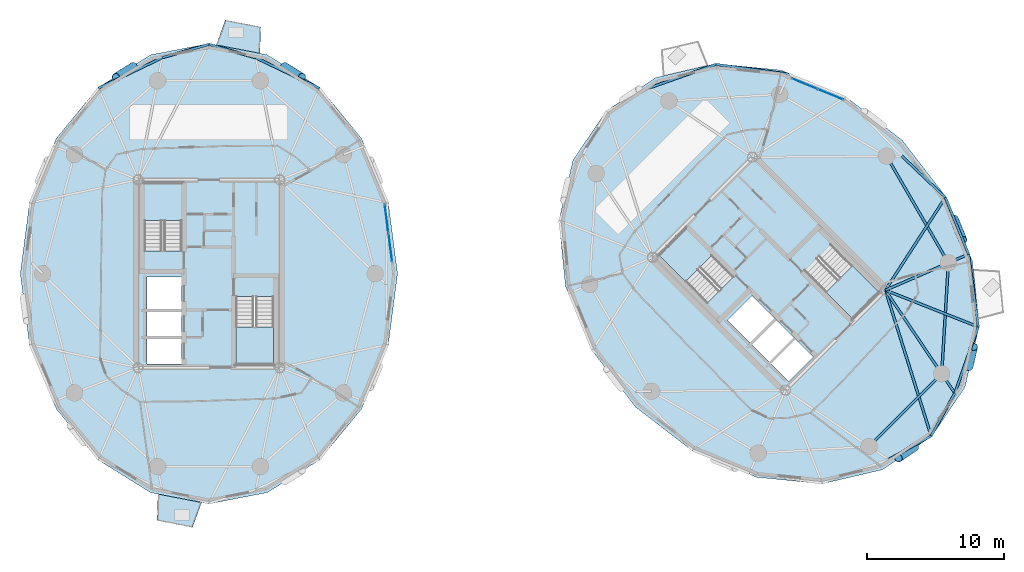
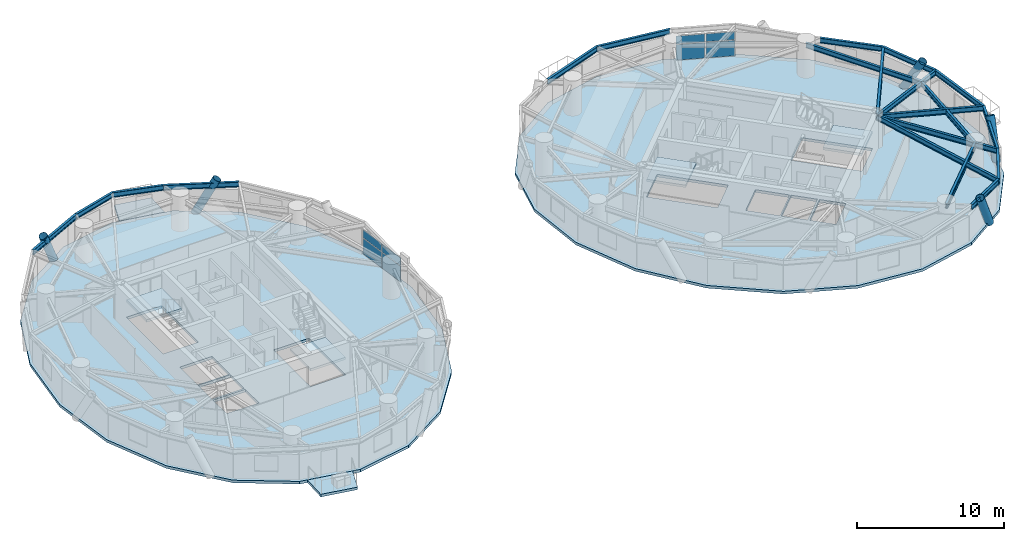
# One storey, part 6 of 15: 20 beams, 8 plates, 8 slabs, 5 members, 6 elements without a shape of their own.
"""IFC4 building model written with IfcOpenShell, lengths in metres."""

import ifcopenshell
import ifcopenshell.guid

model = None  # the IFC model being written
_history = None  # IfcOwnerHistory: only IFC2X3 demands one
_inside = {}  # id of a spatial element -> (the spatial element, [elements in it])
_under = {}  # id of a project, library or spatial element -> (it, [spatial elements below it])
_declared = {}  # id of a project -> (the project, [libraries it declares])
_typed = {}  # id of a type object -> (the type object, [elements of that type])
_made_of = {}  # id of a material, layer set ... -> (it, [elements and type objects made of it])


def new_model(schema):
    """Start an empty IFC model of exactly this schema.

    Asked for "IFC4X3", IfcOpenShell would pick the latest addendum, in which some entities
    have other attributes; the version numbers below select the first issue.
    IFC2X3 requires an IfcOwnerHistory on every rooted entity: one is made here for all.
    """
    global model, _history
    if schema == "IFC4X3":
        model = ifcopenshell.file(schema_version=(4, 3, 0, 0))
    else:
        model = ifcopenshell.file(schema=schema)
    _inside.clear()
    _under.clear()
    _declared.clear()
    _typed.clear()
    _made_of.clear()
    _history = None
    if model.schema == "IFC2X3":
        org = make("IfcOrganization", Name="unknown")
        user = make(
            "IfcPersonAndOrganization",
            ThePerson=make("IfcPerson", FamilyName="unknown"),
            TheOrganization=org,
        )
        app = make(
            "IfcApplication",
            ApplicationDeveloper=org,
            Version="unknown",
            ApplicationFullName="unknown",
            ApplicationIdentifier="unknown",
        )
        _history = make(
            "IfcOwnerHistory",
            OwningUser=user,
            OwningApplication=app,
            ChangeAction="ADDED",
            CreationDate=0,
        )
    return model


def make(cls, **values):
    """One entity of the class cls with the attributes given. An attribute that is None is left unset."""
    return model.create_entity(
        cls, **{name: value for name, value in values.items() if value is not None}
    )


def rooted(cls, **values):
    """An entity with a GlobalId (a new one), such as an element, a storey or a relation."""
    return make(cls, GlobalId=ifcopenshell.guid.new(), OwnerHistory=_history, **values)


def si_unit(unit_type, name, prefix=None):
    """IfcSIUnit, for example si_unit("LENGTHUNIT", "METRE", prefix="MILLI")."""
    return make("IfcSIUnit", UnitType=unit_type, Prefix=prefix, Name=name)


def assignment(units):
    """IfcUnitAssignment: the units of a project."""
    return None if units is None else make("IfcUnitAssignment", Units=units)


def point(xyz):
    """IfcCartesianPoint."""
    return None if xyz is None else make("IfcCartesianPoint", Coordinates=xyz)


def direction(xyz):
    """IfcDirection."""
    return None if xyz is None else make("IfcDirection", DirectionRatios=xyz)


def frame(location, z_axis=None, x_axis=None):
    """IfcAxis2Placement3D, a coordinate frame: its origin and axes. An axis left out is left unset."""
    return make(
        "IfcAxis2Placement3D",
        Location=point(location),
        Axis=direction(z_axis),
        RefDirection=direction(x_axis),
    )


def frame_2d(location, x_axis=None):
    """IfcAxis2Placement2D, a coordinate frame in the plane: its origin and x axis."""
    return make(
        "IfcAxis2Placement2D", Location=point(location), RefDirection=direction(x_axis)
    )


def origin():
    """The frame at (0, 0, 0) with its axes left unset."""
    return frame((0.0, 0.0, 0.0))


def origin_2d():
    """The frame at (0, 0) in the plane with its x axis left unset."""
    return frame_2d((0.0, 0.0))


def place(relative_to, where):
    """IfcLocalPlacement: puts the frame where relative to a parent placement (None: the world)."""
    return make(
        "IfcLocalPlacement", PlacementRelTo=relative_to, RelativePlacement=where
    )


def context(
    kind, dimensions, precision=None, world=None, true_north=None, identifier=None
):
    """IfcGeometricRepresentationContext, for example the 3D "Model" context."""
    return make(
        "IfcGeometricRepresentationContext",
        ContextIdentifier=identifier,
        ContextType=kind,
        CoordinateSpaceDimension=dimensions,
        Precision=precision,
        WorldCoordinateSystem=world,
        TrueNorth=true_north,
    )


def subcontext(parent, identifier, kind, view, scale=None):
    """IfcGeometricRepresentationSubContext, for example "Body" below "Model"."""
    return make(
        "IfcGeometricRepresentationSubContext",
        ContextIdentifier=identifier,
        ContextType=kind,
        ParentContext=parent,
        TargetScale=scale,
        TargetView=view,
    )


def project(units=None, contexts=None):
    """IfcProject with its units and contexts."""
    return rooted(
        "IfcProject",
        Name="project",
        RepresentationContexts=contexts,
        UnitsInContext=assignment(units),
    )


def spatial(cls, under=None, at=None, **own):
    """A site, building, storey or space (cls), placed at a placement, below another one or the project."""
    s = rooted(cls, ObjectPlacement=at, **own)
    if under is not None:
        _under.setdefault(under.id(), (under, []))[1].append(s)
    return s


def polyline(points):
    """IfcPolyline through the points."""
    return make("IfcPolyline", Points=[point(p) for p in points])


def profile(cls, at=None, kind="AREA", **sizes):
    """A parametric profile (cls). Its sizes go by their IFC names, for example OverallWidth=200.0."""
    return make(cls, ProfileType=kind, Position=at, **sizes)


def rectangle(**sizes):
    """IfcRectangleProfileDef."""
    return profile("IfcRectangleProfileDef", **sizes)


def hollow_circle(**sizes):
    """IfcCircleHollowProfileDef."""
    return profile("IfcCircleHollowProfileDef", **sizes)


def i_section(**sizes):
    """IfcIShapeProfileDef."""
    return profile("IfcIShapeProfileDef", **sizes)


def outline(outer, holes=None, kind="AREA"):
    """IfcArbitraryClosedProfileDef: a profile drawn as a closed curve; with holes, ...WithVoids."""
    if holes is None:
        return make("IfcArbitraryClosedProfileDef", ProfileType=kind, OuterCurve=outer)
    return make(
        "IfcArbitraryProfileDefWithVoids",
        ProfileType=kind,
        OuterCurve=outer,
        InnerCurves=holes,
    )


def extrude(swept, where, along, depth):
    """IfcExtrudedAreaSolid: the profile swept, set in the frame where, extruded along a direction by depth."""
    return make(
        "IfcExtrudedAreaSolid",
        SweptArea=swept,
        Position=where,
        ExtrudedDirection=direction(along),
        Depth=depth,
    )


def shape(context_of_items, identifier, shape_type, items):
    """IfcShapeRepresentation: the items that make up one representation, for example the "Body"."""
    return make(
        "IfcShapeRepresentation",
        ContextOfItems=context_of_items,
        RepresentationIdentifier=identifier,
        RepresentationType=shape_type,
        Items=items,
    )


def source(mapping_origin, context_of_items, identifier, shape_type, items):
    """IfcRepresentationMap: a shape defined once, which mapped items show again and again."""
    return make(
        "IfcRepresentationMap",
        MappingOrigin=mapping_origin,
        MappedRepresentation=shape(context_of_items, identifier, shape_type, items),
    )


def transform(
    local_origin,
    x_axis=None,
    y_axis=None,
    z_axis=None,
    scale=None,
    scale2=None,
    scale3=None,
    uniform=True,
):
    """IfcCartesianTransformationOperator3D, or its non-uniform kind. x_axis, y_axis, z_axis: its Axis1, 2, 3."""
    if uniform:
        return make(
            "IfcCartesianTransformationOperator3D",
            Axis1=direction(x_axis),
            Axis2=direction(y_axis),
            LocalOrigin=point(local_origin),
            Scale=scale,
            Axis3=direction(z_axis),
        )
    return make(
        "IfcCartesianTransformationOperator3DnonUniform",
        Axis1=direction(x_axis),
        Axis2=direction(y_axis),
        LocalOrigin=point(local_origin),
        Scale=scale,
        Axis3=direction(z_axis),
        Scale2=scale2,
        Scale3=scale3,
    )


def mapped(mapping_source, mapping_target):
    """IfcMappedItem: shows the shape of a source again, moved by a transform."""
    return make(
        "IfcMappedItem", MappingSource=mapping_source, MappingTarget=mapping_target
    )


def material(Name=None, Category=None):
    """IfcMaterial."""
    return make("IfcMaterial", Name=Name, Category=Category)


def layer(
    of_material, thickness, ventilated=None, Name=None, Category=None, Priority=None
):
    """IfcMaterialLayer: one layer of a wall or slab, of a material (None: an air gap)."""
    return make(
        "IfcMaterialLayer",
        Material=of_material,
        LayerThickness=thickness,
        IsVentilated=ventilated,
        Name=Name,
        Category=Category,
        Priority=Priority,
    )


def layer_set(layers, Name=None):
    """IfcMaterialLayerSet."""
    return make("IfcMaterialLayerSet", MaterialLayers=layers, LayerSetName=Name)


def material_profile(
    of_material, cross_section, Name=None, Category=None, Priority=None
):
    """IfcMaterialProfile: a cross section and its material."""
    return make(
        "IfcMaterialProfile",
        Name=Name,
        Material=of_material,
        Profile=cross_section,
        Priority=Priority,
        Category=Category,
    )


def profile_set(profiles, Name=None, composite=None):
    """IfcMaterialProfileSet."""
    return make(
        "IfcMaterialProfileSet",
        Name=Name,
        MaterialProfiles=profiles,
        CompositeProfile=composite,
    )


def made_of(thing, what):
    """Note that an element or type object is made of a material, layer set ...; save() writes the relation."""
    if what is not None:
        _made_of.setdefault(what.id(), (what, []))[1].append(thing)
    return thing


def type_object(cls, material=None, **own):
    """A type object (cls), such as IfcWallType, which elements share."""
    return made_of(rooted(cls, **own), material)


def element(
    cls,
    number,
    at=None,
    inside=None,
    cuts=None,
    type_object=None,
    material=None,
    context=None,
    identifier="Body",
    shape_type=None,
    held_by="IfcProductDefinitionShape",
    body=None,
    shapes=None,
    **own,
):
    """One element of the class cls, such as IfcWall. Its Tag is "e" and its number.

    at: its placement. inside: the storey or other place that contains it. cuts: it is an
    opening in that element (IfcRelVoidsElement). A single representation is given by context,
    identifier, shape_type and body (its items); several are given by shapes. held_by: the class
    of the entity that holds the representations. save() writes the other relations.
    """
    e = rooted(cls, Tag="e%d" % number, ObjectPlacement=at, **own)
    if body is not None:
        shapes = [shape(context, identifier, shape_type, body)]
    if shapes is not None:
        e.Representation = make(held_by, Representations=shapes)
    if inside is not None:
        _inside.setdefault(inside.id(), (inside, []))[1].append(e)
    if cuts is not None:
        rooted(
            "IfcRelVoidsElement", RelatingBuildingElement=cuts, RelatedOpeningElement=e
        )
    if type_object is not None:
        _typed.setdefault(type_object.id(), (type_object, []))[1].append(e)
    return made_of(e, material)


def aggregate(whole, parts):
    """IfcRelAggregates: a whole, such as a stair, and the parts it consists of."""
    return rooted("IfcRelAggregates", RelatingObject=whole, RelatedObjects=parts)


def save(model, path):
    """Write the relations noted so far, then the file.

    IfcRelAggregates (storeys below a building ...), IfcRelContainedInSpatialStructure (elements
    in a storey), IfcRelDefinesByType, IfcRelAssociatesMaterial and IfcRelDeclares: one each for
    every whole, place, type object, material and project.
    """
    for whole, parts in _under.values():
        aggregate(whole, parts)
    for where, things in _inside.values():
        rooted(
            "IfcRelContainedInSpatialStructure",
            RelatedElements=things,
            RelatingStructure=where,
        )
    for kind, things in _typed.values():
        rooted("IfcRelDefinesByType", RelatedObjects=things, RelatingType=kind)
    for what, things in _made_of.values():
        rooted("IfcRelAssociatesMaterial", RelatedObjects=things, RelatingMaterial=what)
    for by, libraries in _declared.values():
        rooted("IfcRelDeclares", RelatingContext=by, RelatedDefinitions=libraries)
    model.write(path)


model = new_model("IFC4")

# Units and contexts
model_context = context("Model", 3, precision=1e-05, world=origin(), true_north=direction((0.0, 1.0)))
body_context = subcontext(model_context, "Body", "Model", "MODEL_VIEW")
ifc_project = project(units=[si_unit("LENGTHUNIT", "METRE"), si_unit("AREAUNIT", "SQUARE_METRE"), si_unit("VOLUMEUNIT", "CUBIC_METRE"), si_unit("PLANEANGLEUNIT", "RADIAN"), si_unit("MASSUNIT", "GRAM", prefix="KILO")], contexts=[model_context])

# Site, building, storey
site_placement = place(None, origin())
site = spatial("IfcSite", under=ifc_project, at=site_placement, CompositionType="ELEMENT")
building_placement = place(site_placement, origin())
building = spatial("IfcBuilding", under=site, at=building_placement, Name="Cununo Teusaquillo Station Towers", CompositionType="ELEMENT")
storey_placement = place(building_placement, frame((0.0, 0.0, 189.429931640625)))
storey = spatial("IfcBuildingStorey", under=building, at=storey_placement, Name="L60", CompositionType="ELEMENT", Elevation=189.429931640625)

# Beams
ifc_material_1 = material(Name="Steel ASTM A572 Grade 50", Category="steel")
ifc_material_profile_1 = material_profile(ifc_material_1, i_section(OverallWidth=0.180908203125, OverallDepth=0.4169921875, WebThickness=0.010986328125, FlangeThickness=0.018310546875, FilletRadius=0.012939453125, at=origin_2d()), Name="W16X57")
ifc_profile_set_1 = profile_set([ifc_material_profile_1], Name="Steel ASTM A572 Grade 50")
beam_type_1 = type_object("IfcBeamType", Name="BM-JOIST-1", PredefinedType="JOIST", material=ifc_profile_set_1)
beam_1_placement = place(storey_placement, frame((66.024169921875, 23.29443359375, 2.361572265625), z_axis=(0.29947962656, -0.954102695351, 0.0), x_axis=(0.954102695351, 0.29947962656, 0.0)))
element("IfcBeam", 1, at=beam_1_placement, inside=storey, type_object=beam_type_1, Name="L60 Tower B Radial Spandrel Joist V15", PredefinedType="JOIST", context=body_context, shape_type="SweptSolid", body=[
    extrude(i_section(OverallWidth=0.180908203125, OverallDepth=0.4169921875, WebThickness=0.010986328125, FlangeThickness=0.018310546875, FilletRadius=0.012939453125, at=origin_2d()), origin(), (0.0, 0.0, 1.0), 11.179931640625),
])
beam_2_placement = place(storey_placement, frame((66.024169921875, 23.29443359375, 2.361572265625), z_axis=(0.93009004426, -0.367331607091, 0.0), x_axis=(0.367331607091, 0.93009004426, 0.0)))
element("IfcBeam", 2, at=beam_2_placement, inside=storey, type_object=beam_type_1, Name="L60 Tower B Radial Spandrel Joist V17", PredefinedType="JOIST", context=body_context, shape_type="SweptSolid", body=[
    extrude(i_section(OverallWidth=0.180908203125, OverallDepth=0.4169921875, WebThickness=0.010986328125, FlangeThickness=0.018310546875, FilletRadius=0.012939453125, at=origin_2d()), origin(), (0.0, 0.0, 1.0), 7.306884765625),
])
beam_3_placement = place(storey_placement, frame((66.024169921875, 23.29443359375, 2.361572265625), z_axis=(0.543440395394, 0.839447756954, 0.0), x_axis=(-0.839447756954, 0.543440395394, 0.0)))
element("IfcBeam", 3, at=beam_3_placement, inside=storey, type_object=beam_type_1, Name="L60 Tower B Radial Spandrel Joist V19", PredefinedType="JOIST", context=body_context, shape_type="SweptSolid", body=[
    extrude(i_section(OverallWidth=0.180908203125, OverallDepth=0.4169921875, WebThickness=0.010986328125, FlangeThickness=0.018310546875, FilletRadius=0.012939453125, at=origin_2d()), origin(), (0.0, 0.0, 1.0), 8.08203125),
])
ifc_material_2 = material(Name="Steel ASTM A572 Grade 50", Category="steel")
ifc_material_profile_2 = material_profile(ifc_material_2, i_section(OverallWidth=0.180908203125, OverallDepth=0.4169921875, WebThickness=0.010986328125, FlangeThickness=0.018310546875, FilletRadius=0.012939453125, at=origin_2d()), Name="W16X57")
ifc_profile_set_2 = profile_set([ifc_material_profile_2], Name="Steel ASTM A572 Grade 50")
beam_type_2 = type_object("IfcBeamType", Name="BM-RAD-G2", PredefinedType="BEAM", material=ifc_profile_set_2)
beam_4_placement = place(storey_placement, frame((66.024169921875, 23.29443359375, 2.361572265625), z_axis=(0.558570989907, -0.829456719326, 0.0), x_axis=(0.829456719326, 0.558570989907, 0.0)))
element("IfcBeam", 4, at=beam_4_placement, inside=storey, type_object=beam_type_2, Name="L60 Tower B Continuous Overhanging Radial Girder 09", PredefinedType="BEAM", context=body_context, shape_type="SweptSolid", body=[
    extrude(i_section(OverallWidth=0.180908203125, OverallDepth=0.4169921875, WebThickness=0.010986328125, FlangeThickness=0.018310546875, FilletRadius=0.012939453125, at=origin_2d()), origin(), (0.0, 0.0, 1.0), 9.097412109375),
])
beam_5_placement = place(storey_placement, frame((66.024169921875, 23.29443359375, 2.361572265625), z_axis=(0.917664823247, 0.397355347486, 0.0), x_axis=(-0.397355347486, 0.917664823247, 0.0)))
element("IfcBeam", 5, at=beam_5_placement, inside=storey, type_object=beam_type_2, Name="L60 Tower B Continuous Overhanging Radial Girder 10", PredefinedType="BEAM", context=body_context, shape_type="SweptSolid", body=[
    extrude(i_section(OverallWidth=0.180908203125, OverallDepth=0.4169921875, WebThickness=0.010986328125, FlangeThickness=0.018310546875, FilletRadius=0.012939453125, at=origin_2d()), origin(), (0.0, 0.0, 1.0), 6.632080078125),
])
ifc_material_3 = material(Name="Steel ASTM A572 Grade 50", Category="steel")
ifc_material_profile_3 = material_profile(ifc_material_3, i_section(OverallWidth=0.180908203125, OverallDepth=0.4169921875, WebThickness=0.010986328125, FlangeThickness=0.018310546875, FilletRadius=0.012939453125, at=origin_2d()), Name="W16X57")
ifc_profile_set_3 = profile_set([ifc_material_profile_3], Name="Steel ASTM A572 Grade 50")
beam_type_3 = type_object("IfcBeamType", Name="BM-RING-Z3", PredefinedType="SPANDREL", material=ifc_profile_set_3)
beam_6_placement = place(storey_placement, frame((24.58251953125, 38.08349609375, 2.361572265625), z_axis=(-0.902031610991, 0.431669981319, 0.0), x_axis=(-0.431669981319, -0.902031610991, 0.0)))
element("IfcBeam", 6, at=beam_6_placement, inside=storey, type_object=beam_type_3, Name="L60 Tower A Spandrel Ring Beam 04", PredefinedType="SPANDREL", context=body_context, shape_type="SweptSolid", body=[
    extrude(i_section(OverallWidth=0.180908203125, OverallDepth=0.4169921875, WebThickness=0.010986328125, FlangeThickness=0.018310546875, FilletRadius=0.012939453125, at=origin_2d()), origin(), (0.0, 0.0, 1.0), 5.1552734375),
])
for number, where, z_axis, x_axis, name in (
    (7, (19.932373046875, 40.308837890625, 2.361572265625), (-0.961485227168, 0.274856613414, 0.0), (-0.274856613414, -0.961485227168, 0.0), "L60 Tower A Spandrel Ring Beam 05"),
    (8, (16.5, 41.2900390625, 2.361572265625), (-0.961485227168, -0.274856613414, 0.0), (0.274856613414, -0.961485227168, 0.0), "L60 Tower A Spandrel Ring Beam 06"),
):
    element("IfcBeam", number, at=place(storey_placement, frame(where, z_axis=z_axis, x_axis=x_axis)), inside=storey, type_object=beam_type_3, Name=name, PredefinedType="SPANDREL", context=body_context, shape_type="SweptSolid", body=[
        extrude(i_section(OverallWidth=0.180908203125, OverallDepth=0.4169921875, WebThickness=0.010986328125, FlangeThickness=0.018310546875, FilletRadius=0.012939453125, at=origin_2d()), origin(), (0.0, 0.0, 1.0), 3.56982421875),
    ])
beam_7_placement = place(storey_placement, frame((13.067626953125, 40.308837890625, 2.361572265625), z_axis=(-0.902031610991, -0.431669981319, 0.0), x_axis=(0.431669981319, -0.902031610991, 0.0)))
element("IfcBeam", 9, at=beam_7_placement, inside=storey, type_object=beam_type_3, Name="L60 Tower A Spandrel Ring Beam 07", PredefinedType="SPANDREL", context=body_context, shape_type="SweptSolid", body=[
    extrude(i_section(OverallWidth=0.180908203125, OverallDepth=0.4169921875, WebThickness=0.010986328125, FlangeThickness=0.018310546875, FilletRadius=0.012939453125, at=origin_2d()), origin(), (0.0, 0.0, 1.0), 5.1552734375),
])
beam_8_placement = place(storey_placement, frame((64.826904296875, 11.853759765625, 2.361572265625), z_axis=(0.707106781187, 0.707106781187, 0.0), x_axis=(-0.707106781187, 0.707106781187, 0.0)))
element("IfcBeam", 10, at=beam_8_placement, inside=storey, type_object=beam_type_3, Name="L60 Tower B Structural Column Ring Girder 08", PredefinedType="SPANDREL", context=body_context, shape_type="SweptSolid", body=[
    extrude(i_section(OverallWidth=0.180908203125, OverallDepth=0.4169921875, WebThickness=0.010986328125, FlangeThickness=0.018310546875, FilletRadius=0.012939453125, at=origin_2d()), origin(), (0.0, 0.0, 1.0), 7.522705078125),
])
beam_9_placement = place(storey_placement, frame((70.146240234375, 17.173095703125, 2.361572265625), z_axis=(0.06012979176, 0.998190567048, 0.0), x_axis=(-0.998190567048, 0.06012979176, 0.0)))
element("IfcBeam", 11, at=beam_9_placement, inside=storey, type_object=beam_type_3, Name="L60 Tower B Structural Column Ring Girder 09", PredefinedType="SPANDREL", context=body_context, shape_type="SweptSolid", body=[
    extrude(i_section(OverallWidth=0.180908203125, OverallDepth=0.4169921875, WebThickness=0.010986328125, FlangeThickness=0.018310546875, FilletRadius=0.012939453125, at=origin_2d()), origin(), (0.0, 0.0, 1.0), 8.132568359375),
])
beam_10_placement = place(storey_placement, frame((70.63525390625, 25.291015625, 2.361572265625), z_axis=(-0.501311121078, 0.865267103202, 0.0), x_axis=(-0.865267103202, -0.501311121078, 0.0)))
element("IfcBeam", 12, at=beam_10_placement, inside=storey, type_object=beam_type_3, Name="L60 Tower B Structural Column Ring Girder 10", PredefinedType="SPANDREL", context=body_context, shape_type="SweptSolid", body=[
    extrude(i_section(OverallWidth=0.180908203125, OverallDepth=0.4169921875, WebThickness=0.010986328125, FlangeThickness=0.018310546875, FilletRadius=0.012939453125, at=origin_2d()), origin(), (0.0, 0.0, 1.0), 9.032958984375),
])
beam_11_placement = place(storey_placement, frame((58.9296875, 39.110107421875, 2.361572265625), z_axis=(-0.991204443213, 0.132339532096, 0.0), x_axis=(-0.132339532096, -0.991204443213, 0.0)))
element("IfcBeam", 13, at=beam_11_placement, inside=storey, type_object=beam_type_3, Name="L60 Tower B Spandrel Ring Beam 03", PredefinedType="SPANDREL", context=body_context, shape_type="SweptSolid", body=[
    extrude(i_section(OverallWidth=0.180908203125, OverallDepth=0.4169921875, WebThickness=0.010986328125, FlangeThickness=0.018310546875, FilletRadius=0.012939453125, at=origin_2d()), origin(), (0.0, 0.0, 1.0), 5.366455078125),
])
beam_12_placement = place(storey_placement, frame((53.6103515625, 39.8203125, 2.361572265625), z_axis=(-0.943071614141, -0.332589733158, 0.0), x_axis=(0.332589733158, -0.943071614141, 0.0)))
element("IfcBeam", 14, at=beam_12_placement, inside=storey, type_object=beam_type_3, Name="L60 Tower B Spandrel Ring Beam 04", PredefinedType="SPANDREL", context=body_context, shape_type="SweptSolid", body=[
    extrude(i_section(OverallWidth=0.180908203125, OverallDepth=0.4169921875, WebThickness=0.010986328125, FlangeThickness=0.018310546875, FilletRadius=0.012939453125, at=origin_2d()), origin(), (0.0, 0.0, 1.0), 5.1552734375),
])
for number, where, z_axis, x_axis, name in (
    (15, (66.25146484375, 10.894287109375, 2.361572265625), (0.874205659621, 0.485555830659, 0.0), (-0.485555830659, 0.874205659621, 0.0), "L60 Tower B Spandrel Ring Beam 15"),
    (16, (69.372314453125, 12.627685546875, 2.361572265625), (0.485555830659, 0.874205659621, 0.0), (-0.874205659621, 0.485555830659, 0.0), "L60 Tower B Spandrel Ring Beam 16"),
):
    element("IfcBeam", number, at=place(storey_placement, frame(where, z_axis=z_axis, x_axis=x_axis)), inside=storey, type_object=beam_type_3, Name=name, PredefinedType="SPANDREL", context=body_context, shape_type="SweptSolid", body=[
        extrude(i_section(OverallWidth=0.180908203125, OverallDepth=0.4169921875, WebThickness=0.010986328125, FlangeThickness=0.018310546875, FilletRadius=0.012939453125, at=origin_2d()), origin(), (0.0, 0.0, 1.0), 3.56982421875),
    ])
beam_13_placement = place(storey_placement, frame((71.105712890625, 15.74853515625, 2.361572265625), z_axis=(0.332589733158, 0.943071614141, 0.0), x_axis=(-0.943071614141, 0.332589733158, 0.0)))
element("IfcBeam", 17, at=beam_13_placement, inside=storey, type_object=beam_type_3, Name="L60 Tower B Spandrel Ring Beam 17", PredefinedType="SPANDREL", context=body_context, shape_type="SweptSolid", body=[
    extrude(i_section(OverallWidth=0.180908203125, OverallDepth=0.4169921875, WebThickness=0.010986328125, FlangeThickness=0.018310546875, FilletRadius=0.012939453125, at=origin_2d()), origin(), (0.0, 0.0, 1.0), 5.1552734375),
])
beam_14_placement = place(storey_placement, frame((72.8203125, 20.6103515625, 2.361572265625), z_axis=(-0.132339532096, 0.991204443213, 0.0), x_axis=(-0.991204443213, -0.132339532096, 0.0)))
element("IfcBeam", 18, at=beam_14_placement, inside=storey, type_object=beam_type_3, Name="L60 Tower B Spandrel Ring Beam 18", PredefinedType="SPANDREL", context=body_context, shape_type="SweptSolid", body=[
    extrude(i_section(OverallWidth=0.180908203125, OverallDepth=0.4169921875, WebThickness=0.010986328125, FlangeThickness=0.018310546875, FilletRadius=0.012939453125, at=origin_2d()), origin(), (0.0, 0.0, 1.0), 5.366455078125),
])
beam_15_placement = place(storey_placement, frame((72.110107421875, 25.9296875, 2.361572265625), z_axis=(-0.377956082264, 0.925823525235, 0.0), x_axis=(-0.925823525235, -0.377956082264, 0.0)))
element("IfcBeam", 19, at=beam_15_placement, inside=storey, type_object=beam_type_3, Name="L60 Tower B Spandrel Ring Beam 19", PredefinedType="SPANDREL", context=body_context, shape_type="SweptSolid", body=[
    extrude(i_section(OverallWidth=0.180908203125, OverallDepth=0.4169921875, WebThickness=0.010986328125, FlangeThickness=0.018310546875, FilletRadius=0.012939453125, at=origin_2d()), origin(), (0.0, 0.0, 1.0), 4.481689453125),
])
beam_16_placement = place(storey_placement, frame((70.416259765625, 30.078857421875, 2.361572265625), z_axis=(-0.723501643849, 0.690322657421, 0.0), x_axis=(-0.690322657421, -0.723501643849, 0.0)))
element("IfcBeam", 20, at=beam_16_placement, inside=storey, type_object=beam_type_3, Name="L60 Tower B Spandrel Ring Beam 20", PredefinedType="SPANDREL", context=body_context, shape_type="SweptSolid", body=[
    extrude(i_section(OverallWidth=0.180908203125, OverallDepth=0.4169921875, WebThickness=0.010986328125, FlangeThickness=0.018310546875, FilletRadius=0.012939453125, at=origin_2d()), origin(), (0.0, 0.0, 1.0), 4.400146484375),
])

# Members
ifc_material_4 = material(Name="Steel EN 10025-2 S355J2", Category="steel")
ifc_material_profile_4 = material_profile(ifc_material_4, hollow_circle(Radius=0.304931640625, WallThickness=0.02001953125, at=origin_2d()), Name="CHS 610x20")
ifc_profile_set_4 = profile_set([ifc_material_profile_4], Name="Steel EN 10025-2 S355J2")
member_type = type_object("IfcMemberType", Name="MBR-DIAG-Z3", PredefinedType="BRACE", material=ifc_profile_set_4)
for number, where, z_axis, x_axis, name in (
    (21, (22.027099609375, 39.67333984375, -0.139892578125), (0.389992377255, -0.242655299129, 0.888270427003), (0.528291489706, 0.849063072983, 0.0), "L60 Tower A Folded-Zigzag Diagrid Tube C03"),
    (22, (10.972900390625, 39.67333984375, -0.139892578125), (-0.389992377255, -0.242655299129, 0.888270427003), (0.528291489706, -0.849063072983, 0.0), "L60 Tower A Folded-Zigzag Diagrid Tube C06"),
):
    element("IfcMember", number, at=place(storey_placement, frame(where, z_axis=z_axis, x_axis=x_axis)), inside=storey, type_object=member_type, Name=name, PredefinedType="BRACE", context=body_context, shape_type="SweptSolid", body=[
        extrude(hollow_circle(Radius=0.304931640625, WallThickness=0.02001953125, at=origin_2d()), origin(), (0.0, 0.0, 1.0), 3.27587890625),
    ])
member_1_placement = place(storey_placement, frame((68.177001953125, 11.81982421875, -0.139892578125), z_axis=(-0.368023716822, -0.248731715475, 0.895930286112), x_axis=(0.559961028799, -0.828518947416, 0.0)))
element("IfcMember", 23, at=member_1_placement, inside=storey, type_object=member_type, Name="L60 Tower B Folded-Zigzag Diagrid Tube C14", PredefinedType="BRACE", context=body_context, shape_type="SweptSolid", body=[
    extrude(hollow_circle(Radius=0.304931640625, WallThickness=0.02001953125, at=origin_2d()), origin(), (0.0, 0.0, 1.0), 3.247802734375),
])
member_2_placement = place(storey_placement, frame((72.13720703125, 17.67919921875, -0.139892578125), z_axis=(0.104259152832, 0.447367901679, 0.888252210579), x_axis=(-0.973902205409, 0.226968046871, 0.0)))
element("IfcMember", 24, at=member_2_placement, inside=storey, type_object=member_type, Name="L60 Tower B Folded-Zigzag Diagrid Tube C16", PredefinedType="BRACE", context=body_context, shape_type="SweptSolid", body=[
    extrude(hollow_circle(Radius=0.304931640625, WallThickness=0.02001953125, at=origin_2d()), origin(), (0.0, 0.0, 1.0), 3.27587890625),
])
member_3_placement = place(storey_placement, frame((71.05908203125, 28.51513671875, -0.139892578125), z_axis=(0.191014646417, -0.464587085322, 0.864680429411), x_axis=(0.924878366582, 0.380263076079, 0.0)))
element("IfcMember", 25, at=member_3_placement, inside=storey, type_object=member_type, Name="L60 Tower B Folded-Zigzag Diagrid Tube C18", PredefinedType="BRACE", context=body_context, shape_type="SweptSolid", body=[
    extrude(hollow_circle(Radius=0.304931640625, WallThickness=0.02001953125, at=origin_2d()), origin(), (0.0, 0.0, 1.0), 3.365234375),
])

# Slabs
ifc_material_5 = material(Name="Concrete C50/60", Category="concrete")
ifc_layer_1 = layer(ifc_material_5, 0.2099609375)
ifc_layer_set_1 = layer_set([ifc_layer_1], Name="Concrete C50/60")
slab_type_1 = type_object("IfcSlabType", Name="SLB-BAL-210", PredefinedType="FLOOR", material=ifc_layer_set_1)
slab_1_placement = place(storey_placement, frame((0.0, 0.0, -0.2099609375)))
element("IfcSlab", 26, at=slab_1_placement, inside=storey, type_object=slab_type_1, Name="L60 Tower A Sky Garden Terrace Slab 1", PredefinedType="FLOOR", context=body_context, shape_type="SweptSolid", body=[
    extrude(outline(polyline([(20.228759765625, 40.634521484375), (17.041015625, 41.25048828125), (17.69873046875, 43.073974609375), (20.297607421875, 42.57177734375), (20.228759765625, 40.634521484375)])), origin(), (0.0, 0.0, 1.0), 0.2099609375),
])
slab_2_placement = place(storey_placement, frame((0.0, 0.0, -0.2099609375)))
element("IfcSlab", 27, at=slab_2_placement, inside=storey, type_object=slab_type_1, Name="L60 Tower A Tree Balcony Slab 2", PredefinedType="FLOOR", context=body_context, shape_type="SweptSolid", body=[
    extrude(outline(polyline([(12.771240234375, 8.365478515625), (15.958984375, 7.74951171875), (15.30126953125, 5.926025390625), (12.702392578125, 6.42822265625), (12.771240234375, 8.365478515625)])), origin(), (0.0, 0.0, 1.0), 0.2099609375),
])

# Stair, slab
ifc_material_6 = material(Name="Concrete C50/60", Category="concrete")
stair_type = type_object("IfcStairType", Name="ST-TWR-1300", PredefinedType="HALF_TURN_STAIR", material=ifc_material_6)
stair_1_placement = place(storey_placement, origin())
stair_1 = element("IfcStair", 28, at=stair_1_placement, inside=storey, type_object=stair_type, Name="L60 Tower A Protected Core Exit Stair 1", PredefinedType="HALF_TURN_STAIR")
ifc_material_7 = material(Name="Concrete C50/60", Category="concrete")
ifc_layer_2 = layer(ifc_material_7, 0.199951171875)
ifc_layer_set_2 = layer_set([ifc_layer_2], Name="Concrete C50/60")
slab_type_2 = type_object("IfcSlabType", Name="SLB-STAIR-LND", PredefinedType="LANDING", material=ifc_layer_set_2)
slab_3_placement = place(storey_placement, frame((0.0, 0.0, 1.255126953125)))
slab_3 = element("IfcSlab", 29, at=slab_3_placement, type_object=slab_type_2, Name="ST-T1-1 landing 1", PredefinedType="LANDING", context=body_context, shape_type="SweptSolid", body=[
    extrude(outline(polyline([(14.52001953125, 28.409912109375), (14.52001953125, 31.159912109375), (11.760009765625, 31.159912109375), (11.760009765625, 28.409912109375), (14.52001953125, 28.409912109375)])), origin(), (0.0, 0.0, 1.0), 0.199951171875),
])
aggregate(stair_1, [slab_3])

stair_2_placement = place(storey_placement, origin())
stair_2 = element("IfcStair", 30, at=stair_2_placement, inside=storey, type_object=stair_type, Name="L60 Tower A Protected Core Exit Stair 2", PredefinedType="HALF_TURN_STAIR")
slab_4_placement = place(storey_placement, frame((0.0, 0.0, 1.255126953125)))
slab_4 = element("IfcSlab", 31, at=slab_4_placement, type_object=slab_type_2, Name="ST-T1-2 landing 1", PredefinedType="LANDING", context=body_context, shape_type="SweptSolid", body=[
    extrude(outline(polyline([(18.47998046875, 20.590087890625), (18.47998046875, 17.840087890625), (21.239990234375, 17.840087890625), (21.239990234375, 20.590087890625), (18.47998046875, 20.590087890625)])), origin(), (0.0, 0.0, 1.0), 0.199951171875),
])
aggregate(stair_2, [slab_4])

stair_3_placement = place(storey_placement, origin())
stair_3 = element("IfcStair", 32, at=stair_3_placement, inside=storey, type_object=stair_type, Name="L60 Tower B Protected Core Exit Stair 1", PredefinedType="HALF_TURN_STAIR")
slab_5_placement = place(storey_placement, frame((0.0, 0.0, 1.255126953125)))
slab_5 = element("IfcSlab", 33, at=slab_5_placement, type_object=slab_type_2, Name="ST-T2-1 landing 1", PredefinedType="LANDING", context=body_context, shape_type="SweptSolid", body=[
    extrude(outline(polyline([(53.335205078125, 25.86474609375), (51.390625, 27.809326171875), (49.43896484375, 25.857666015625), (51.383544921875, 23.9130859375), (53.335205078125, 25.86474609375)])), origin(), (0.0, 0.0, 1.0), 0.199951171875),
])
aggregate(stair_3, [slab_5])

stair_4_placement = place(storey_placement, origin())
stair_4 = element("IfcStair", 34, at=stair_4_placement, inside=storey, type_object=stair_type, Name="L60 Tower B Protected Core Exit Stair 2", PredefinedType="HALF_TURN_STAIR")
slab_6_placement = place(storey_placement, frame((0.0, 0.0, 1.255126953125)))
slab_6 = element("IfcSlab", 35, at=slab_6_placement, type_object=slab_type_2, Name="ST-T2-2 landing 1", PredefinedType="LANDING", context=body_context, shape_type="SweptSolid", body=[
    extrude(outline(polyline([(61.664794921875, 23.13525390625), (63.609375, 21.190673828125), (65.56103515625, 23.142333984375), (63.616455078125, 25.0869140625), (61.664794921875, 23.13525390625)])), origin(), (0.0, 0.0, 1.0), 0.199951171875),
])
aggregate(stair_4, [slab_6])

# Slabs
ifc_material_8 = material(Name="Concrete C40/50", Category="concrete")
ifc_layer_3 = layer(ifc_material_8, 0.219970703125)
ifc_layer_set_3 = layer_set([ifc_layer_3], Name="Concrete C40/50")
slab_type_3 = type_object("IfcSlabType", Name="SLB-Z3-220", PredefinedType="FLOOR", material=ifc_layer_set_3)
slab_7_placement = place(storey_placement, frame((0.0, 0.0, -0.219970703125)))
element("IfcSlab", 36, at=slab_7_placement, inside=storey, type_object=slab_type_3, Name="L60 Tower A Floor Slab", PredefinedType="FLOOR", context=body_context, shape_type="SweptSolid", body=[
    extrude(outline(polyline([(30.31103515625, 24.5), (29.635009765625, 29.706787109375), (27.67333984375, 34.404296875), (24.617919921875, 38.1318359375), (20.767822265625, 40.525390625), (16.5, 41.35009765625), (12.232177734375, 40.525390625), (8.382080078125, 38.1318359375), (5.32666015625, 34.404296875), (3.364990234375, 29.706787109375), (2.68896484375, 24.5), (3.364990234375, 19.293212890625), (5.32666015625, 14.595703125), (8.382080078125, 10.8681640625), (12.232177734375, 8.474609375), (16.5, 7.64990234375), (20.767822265625, 8.474609375), (24.617919921875, 10.8681640625), (27.67333984375, 14.595703125), (29.635009765625, 19.293212890625), (30.31103515625, 24.5)]), holes=[polyline([(14.52001953125, 26.176025390625), (14.52001953125, 31.159912109375), (11.760009765625, 31.159912109375), (11.760009765625, 26.176025390625), (14.52001953125, 26.176025390625)]), polyline([(18.47998046875, 22.823974609375), (18.47998046875, 17.840087890625), (21.239990234375, 17.840087890625), (21.239990234375, 22.823974609375), (18.47998046875, 22.823974609375)]), polyline([(11.949951171875, 21.85009765625), (14.47998046875, 21.85009765625), (14.47998046875, 24.25), (11.949951171875, 24.25), (11.949951171875, 21.85009765625)]), polyline([(11.949951171875, 17.89990234375), (14.47998046875, 17.89990234375), (14.47998046875, 19.75), (11.949951171875, 19.75), (11.949951171875, 17.89990234375)]), polyline([(11.949951171875, 19.89990234375), (14.47998046875, 19.89990234375), (14.47998046875, 21.75), (11.949951171875, 21.75), (11.949951171875, 19.89990234375)])]), origin(), (0.0, 0.0, 1.0), 0.219970703125),
])
slab_8_placement = place(storey_placement, frame((0.0, 0.0, -0.219970703125)))
element("IfcSlab", 37, at=slab_8_placement, inside=storey, type_object=slab_type_3, Name="L60 Tower B Floor Slab", PredefinedType="FLOOR", context=body_context, shape_type="SweptSolid", body=[
    extrude(outline(polyline([(67.265869140625, 34.265869140625), (63.10595703125, 37.4697265625), (58.3974609375, 39.404052734375), (53.60107421875, 39.87939453125), (49.186279296875, 38.849365234375), (45.585205078125, 36.414794921875), (43.150634765625, 32.813720703125), (42.12060546875, 28.39892578125), (42.595947265625, 23.6025390625), (44.5302734375, 18.89404296875), (47.734130859375, 14.734130859375), (51.89404296875, 11.5302734375), (56.6025390625, 9.595947265625), (61.39892578125, 9.12060546875), (65.813720703125, 10.150634765625), (69.414794921875, 12.585205078125), (71.849365234375, 16.186279296875), (72.87939453125, 20.60107421875), (72.404052734375, 25.3974609375), (70.4697265625, 30.10595703125), (67.265869140625, 34.265869140625)]), holes=[polyline([(54.914794921875, 24.28515625), (51.390625, 27.809326171875), (49.43896484375, 25.857666015625), (52.963134765625, 22.33349609375), (54.914794921875, 24.28515625)]), polyline([(60.085205078125, 24.71484375), (63.609375, 21.190673828125), (65.56103515625, 23.142333984375), (62.036865234375, 26.66650390625), (60.085205078125, 24.71484375)]), polyline([(56.156494140625, 19.40869140625), (57.945556640625, 21.19775390625), (56.248291015625, 22.89501953125), (54.45947265625, 21.10595703125), (56.156494140625, 19.40869140625)]), polyline([(58.94970703125, 16.61572265625), (60.738525390625, 18.40478515625), (59.430419921875, 19.712890625), (57.641357421875, 17.923828125), (58.94970703125, 16.61572265625)]), polyline([(57.535400390625, 18.030029296875), (59.32421875, 19.819091796875), (58.01611328125, 21.127197265625), (56.227294921875, 19.338134765625), (57.535400390625, 18.030029296875)])]), origin(), (0.0, 0.0, 1.0), 0.219970703125),
])

# Curtain wall, plates
ifc_material_9 = material(Name="Operable acoustic tinted low-E double glazing", Category="glass")
ifc_layer_4 = layer(ifc_material_9, 0.179931640625)
ifc_layer_set_4 = layer_set([ifc_layer_4], Name="Operable acoustic tinted low-E double glazing")
curtain_wall_type = type_object("IfcCurtainWallType", Name="CW-SYS-06", PredefinedType="USERDEFINED", material=ifc_layer_set_4)
curtain_wall_1_placement = place(storey_placement, origin())
curtain_wall_1 = element("IfcCurtainWall", 38, at=curtain_wall_1_placement, inside=storey, type_object=curtain_wall_type, Name="L60 Tower A Facade Curtain Wall C00", ObjectType="OPERABLE GLAZING", PredefinedType="USERDEFINED")
ifc_material_10 = material(Name="Operable acoustic tinted low-E double glazing", Category="glass")
ifc_layer_5 = layer(ifc_material_10, 0.031982421875)
ifc_layer_set_5 = layer_set([ifc_layer_5], Name="Operable acoustic tinted low-E double glazing")
plate_type = type_object("IfcPlateType", Name="CWP-OPER-32", PredefinedType="CURTAIN_PANEL", material=ifc_layer_set_5)
shared_shape_1 = source(origin(), body_context, "Body", "SweptSolid", [
    extrude(rectangle(XDim=2.05908203125, YDim=0.031982421875, at=origin_2d()), origin(), (0.0, 0.0, 1.0), 1.283447265625),
])
plate_1_placement = place(storey_placement, frame((29.509033203125, 28.534912109375, 0.06494140625), z_axis=(0.0, 0.0, 1.0), x_axis=(0.128285462927, -0.991737283761, 0.0)))
plate_1 = element("IfcPlate", 39, at=plate_1_placement, type_object=plate_type, Name="CW-06 panel 1.1", PredefinedType="CURTAIN_PANEL", context=body_context, shape_type="MappedRepresentation", body=[
    mapped(shared_shape_1, transform((0.0, 0.0, 0.0), x_axis=(1.0, 0.0, 0.0), y_axis=(0.0, 1.0, 0.0), z_axis=(0.0, 0.0, 1.0), scale=1.0)),
])
plate_2_placement = place(storey_placement, frame((29.781494140625, 26.428466796875, 0.06494140625), z_axis=(0.0, 0.0, 1.0), x_axis=(0.128285462927, -0.991737283761, 0.0)))
plate_2 = element("IfcPlate", 40, at=plate_2_placement, type_object=plate_type, Name="CW-06 panel 2.1", PredefinedType="CURTAIN_PANEL", context=body_context, shape_type="MappedRepresentation", body=[
    mapped(shared_shape_1, transform((0.0, 0.0, 0.0), x_axis=(1.0, 0.0, 0.0), y_axis=(0.0, 1.0, 0.0), z_axis=(0.0, 0.0, 1.0), scale=1.0)),
])
shared_shape_2 = source(origin(), body_context, "Body", "SweptSolid", [
    extrude(rectangle(XDim=2.05908203125, YDim=0.031982421875, at=origin_2d()), origin(), (0.0, 0.0, 1.0), 0.646484375),
])
plate_3_placement = place(storey_placement, frame((29.509033203125, 28.534912109375, 1.41357421875), z_axis=(0.0, 0.0, 1.0), x_axis=(0.128285462927, -0.991737283761, 0.0)))
plate_3 = element("IfcPlate", 41, at=plate_3_placement, type_object=plate_type, Name="CW-06 panel 1.2", PredefinedType="CURTAIN_PANEL", context=body_context, shape_type="MappedRepresentation", body=[
    mapped(shared_shape_2, transform((0.0, 0.0, 0.0), x_axis=(1.0, 0.0, 0.0), y_axis=(0.0, 1.0, 0.0), z_axis=(0.0, 0.0, 1.0), scale=1.0)),
])
plate_4_placement = place(storey_placement, frame((29.781494140625, 26.428466796875, 1.41357421875), z_axis=(0.0, 0.0, 1.0), x_axis=(0.128285462927, -0.991737283761, 0.0)))
plate_4 = element("IfcPlate", 42, at=plate_4_placement, type_object=plate_type, Name="CW-06 panel 2.2", PredefinedType="CURTAIN_PANEL", context=body_context, shape_type="MappedRepresentation", body=[
    mapped(shared_shape_2, transform((0.0, 0.0, 0.0), x_axis=(1.0, 0.0, 0.0), y_axis=(0.0, 1.0, 0.0), z_axis=(0.0, 0.0, 1.0), scale=1.0)),
])
aggregate(curtain_wall_1, [plate_1, plate_3, plate_2, plate_4])

curtain_wall_2_placement = place(storey_placement, origin())
curtain_wall_2 = element("IfcCurtainWall", 43, at=curtain_wall_2_placement, inside=storey, type_object=curtain_wall_type, Name="L60 Tower B Facade Curtain Wall C01", ObjectType="OPERABLE GLAZING", PredefinedType="USERDEFINED")
shared_shape_3 = source(origin(), body_context, "Body", "SweptSolid", [
    extrude(rectangle(XDim=1.97900390625, YDim=0.031982421875, at=origin_2d()), origin(), (0.0, 0.0, 1.0), 1.283447265625),
])
plate_5_placement = place(storey_placement, frame((60.1142578125, 38.4013671875, 0.06494140625), z_axis=(0.0, 0.0, 1.0), x_axis=(0.924480504803, -0.381229322376, 0.0)))
plate_5 = element("IfcPlate", 44, at=plate_5_placement, type_object=plate_type, Name="CW-06 panel 1.1", PredefinedType="CURTAIN_PANEL", context=body_context, shape_type="MappedRepresentation", body=[
    mapped(shared_shape_3, transform((0.0, 0.0, 0.0), x_axis=(1.0, 0.0, 0.0), y_axis=(0.0, 1.0, 0.0), z_axis=(0.0, 0.0, 1.0), scale=1.0)),
])
plate_6_placement = place(storey_placement, frame((62.00390625, 37.622314453125, 0.06494140625), z_axis=(0.0, 0.0, 1.0), x_axis=(0.924480504803, -0.381229322376, 0.0)))
plate_6 = element("IfcPlate", 45, at=plate_6_placement, type_object=plate_type, Name="CW-06 panel 2.1", PredefinedType="CURTAIN_PANEL", context=body_context, shape_type="MappedRepresentation", body=[
    mapped(shared_shape_3, transform((0.0, 0.0, 0.0), x_axis=(1.0, 0.0, 0.0), y_axis=(0.0, 1.0, 0.0), z_axis=(0.0, 0.0, 1.0), scale=1.0)),
])
shared_shape_4 = source(origin(), body_context, "Body", "SweptSolid", [
    extrude(rectangle(XDim=1.97900390625, YDim=0.031982421875, at=origin_2d()), origin(), (0.0, 0.0, 1.0), 0.646484375),
])
plate_7_placement = place(storey_placement, frame((60.1142578125, 38.4013671875, 1.41357421875), z_axis=(0.0, 0.0, 1.0), x_axis=(0.924480504803, -0.381229322376, 0.0)))
plate_7 = element("IfcPlate", 46, at=plate_7_placement, type_object=plate_type, Name="CW-06 panel 1.2", PredefinedType="CURTAIN_PANEL", context=body_context, shape_type="MappedRepresentation", body=[
    mapped(shared_shape_4, transform((0.0, 0.0, 0.0), x_axis=(1.0, 0.0, 0.0), y_axis=(0.0, 1.0, 0.0), z_axis=(0.0, 0.0, 1.0), scale=1.0)),
])
plate_8_placement = place(storey_placement, frame((62.00390625, 37.622314453125, 1.41357421875), z_axis=(0.0, 0.0, 1.0), x_axis=(0.924480504803, -0.381229322376, 0.0)))
plate_8 = element("IfcPlate", 47, at=plate_8_placement, type_object=plate_type, Name="CW-06 panel 2.2", PredefinedType="CURTAIN_PANEL", context=body_context, shape_type="MappedRepresentation", body=[
    mapped(shared_shape_4, transform((0.0, 0.0, 0.0), x_axis=(1.0, 0.0, 0.0), y_axis=(0.0, 1.0, 0.0), z_axis=(0.0, 0.0, 1.0), scale=1.0)),
])
aggregate(curtain_wall_2, [plate_5, plate_7, plate_6, plate_8])

save(model, "model.ifc")
